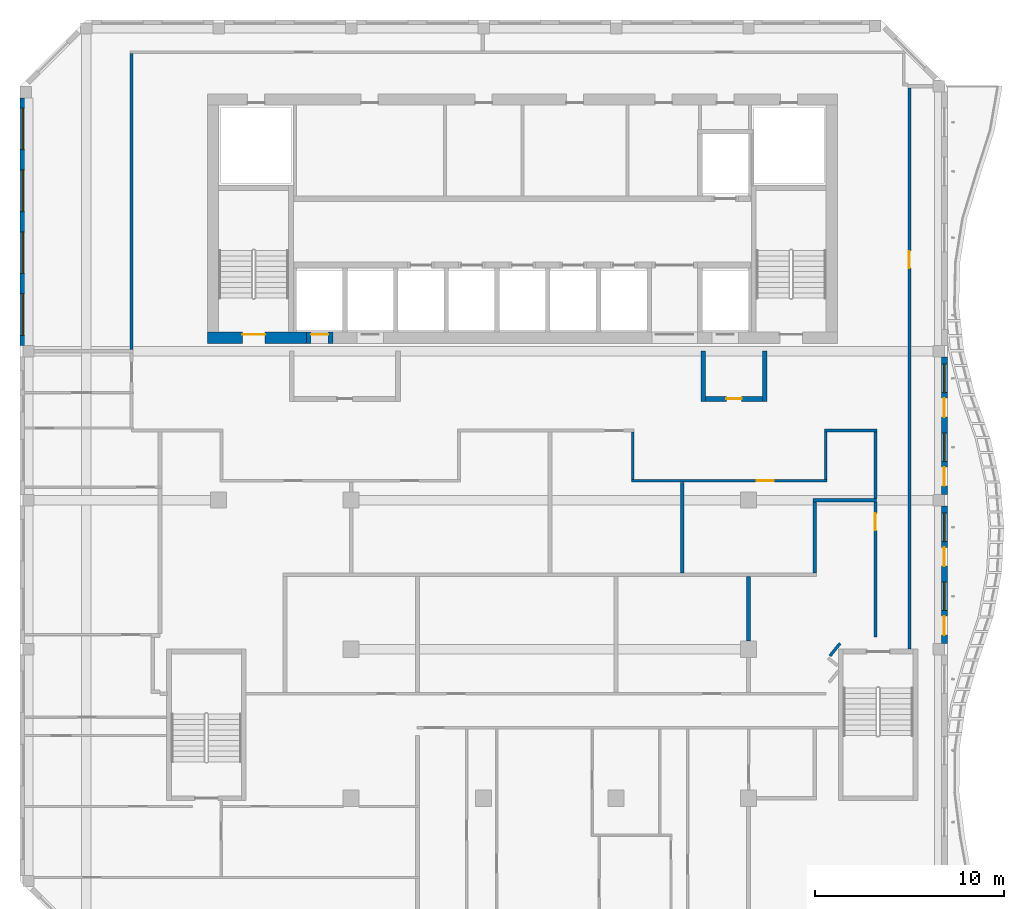
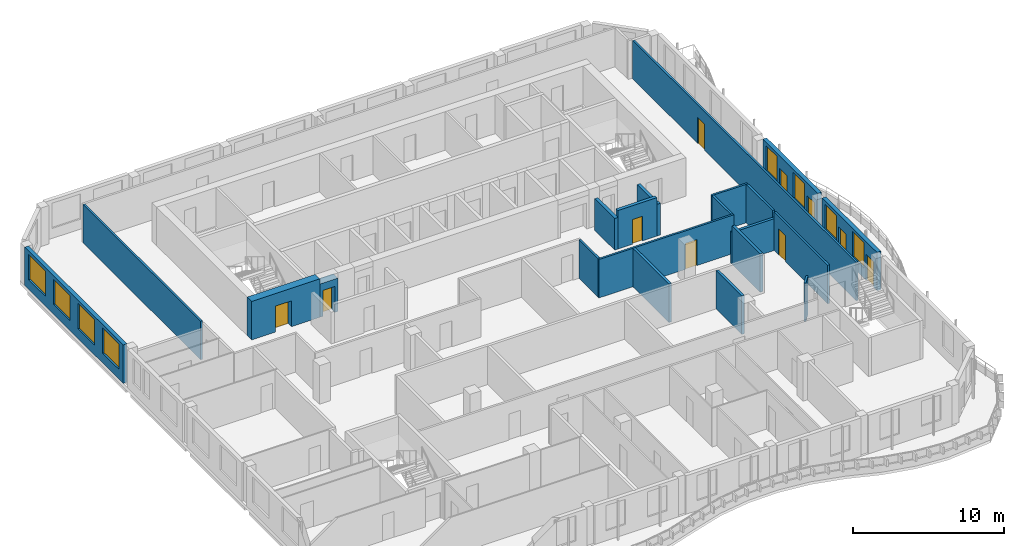
# One storey, part 5 of 18: 21 walls, 10 doors, 8 windows, 18 openings.
"""IFC4 building model written with IfcOpenShell, lengths in metres."""

import ifcopenshell
import ifcopenshell.guid

model = None  # the IFC model being written
_history = None  # IfcOwnerHistory: only IFC2X3 demands one
_inside = {}  # id of a spatial element -> (the spatial element, [elements in it])
_under = {}  # id of a project, library or spatial element -> (it, [spatial elements below it])
_declared = {}  # id of a project -> (the project, [libraries it declares])
_typed = {}  # id of a type object -> (the type object, [elements of that type])
_made_of = {}  # id of a material, layer set ... -> (it, [elements and type objects made of it])


def new_model(schema):
    """Start an empty IFC model of exactly this schema.

    Asked for "IFC4X3", IfcOpenShell would pick the latest addendum, in which some entities
    have other attributes; the version numbers below select the first issue.
    IFC2X3 requires an IfcOwnerHistory on every rooted entity: one is made here for all.
    """
    global model, _history
    if schema == "IFC4X3":
        model = ifcopenshell.file(schema_version=(4, 3, 0, 0))
    else:
        model = ifcopenshell.file(schema=schema)
    _inside.clear()
    _under.clear()
    _declared.clear()
    _typed.clear()
    _made_of.clear()
    _history = None
    if model.schema == "IFC2X3":
        org = make("IfcOrganization", Name="unknown")
        user = make(
            "IfcPersonAndOrganization",
            ThePerson=make("IfcPerson", FamilyName="unknown"),
            TheOrganization=org,
        )
        app = make(
            "IfcApplication",
            ApplicationDeveloper=org,
            Version="unknown",
            ApplicationFullName="unknown",
            ApplicationIdentifier="unknown",
        )
        _history = make(
            "IfcOwnerHistory",
            OwningUser=user,
            OwningApplication=app,
            ChangeAction="ADDED",
            CreationDate=0,
        )
    return model


def make(cls, **values):
    """One entity of the class cls with the attributes given. An attribute that is None is left unset."""
    return model.create_entity(
        cls, **{name: value for name, value in values.items() if value is not None}
    )


def rooted(cls, **values):
    """An entity with a GlobalId (a new one), such as an element, a storey or a relation."""
    return make(cls, GlobalId=ifcopenshell.guid.new(), OwnerHistory=_history, **values)


def si_unit(unit_type, name, prefix=None):
    """IfcSIUnit, for example si_unit("LENGTHUNIT", "METRE", prefix="MILLI")."""
    return make("IfcSIUnit", UnitType=unit_type, Prefix=prefix, Name=name)


def assignment(units):
    """IfcUnitAssignment: the units of a project."""
    return None if units is None else make("IfcUnitAssignment", Units=units)


def point(xyz):
    """IfcCartesianPoint."""
    return None if xyz is None else make("IfcCartesianPoint", Coordinates=xyz)


def direction(xyz):
    """IfcDirection."""
    return None if xyz is None else make("IfcDirection", DirectionRatios=xyz)


def frame(location, z_axis=None, x_axis=None):
    """IfcAxis2Placement3D, a coordinate frame: its origin and axes. An axis left out is left unset."""
    return make(
        "IfcAxis2Placement3D",
        Location=point(location),
        Axis=direction(z_axis),
        RefDirection=direction(x_axis),
    )


def frame_2d(location, x_axis=None):
    """IfcAxis2Placement2D, a coordinate frame in the plane: its origin and x axis."""
    return make(
        "IfcAxis2Placement2D", Location=point(location), RefDirection=direction(x_axis)
    )


def origin():
    """The frame at (0, 0, 0) with its axes left unset."""
    return frame((0.0, 0.0, 0.0))


def place(relative_to, where):
    """IfcLocalPlacement: puts the frame where relative to a parent placement (None: the world)."""
    return make(
        "IfcLocalPlacement", PlacementRelTo=relative_to, RelativePlacement=where
    )


def context(
    kind, dimensions, precision=None, world=None, true_north=None, identifier=None
):
    """IfcGeometricRepresentationContext, for example the 3D "Model" context."""
    return make(
        "IfcGeometricRepresentationContext",
        ContextIdentifier=identifier,
        ContextType=kind,
        CoordinateSpaceDimension=dimensions,
        Precision=precision,
        WorldCoordinateSystem=world,
        TrueNorth=true_north,
    )


def subcontext(parent, identifier, kind, view, scale=None):
    """IfcGeometricRepresentationSubContext, for example "Body" below "Model"."""
    return make(
        "IfcGeometricRepresentationSubContext",
        ContextIdentifier=identifier,
        ContextType=kind,
        ParentContext=parent,
        TargetScale=scale,
        TargetView=view,
    )


def project(units=None, contexts=None):
    """IfcProject with its units and contexts."""
    return rooted(
        "IfcProject",
        Name="project",
        RepresentationContexts=contexts,
        UnitsInContext=assignment(units),
    )


def spatial(cls, under=None, at=None, **own):
    """A site, building, storey or space (cls), placed at a placement, below another one or the project."""
    s = rooted(cls, ObjectPlacement=at, **own)
    if under is not None:
        _under.setdefault(under.id(), (under, []))[1].append(s)
    return s


def profile(cls, at=None, kind="AREA", **sizes):
    """A parametric profile (cls). Its sizes go by their IFC names, for example OverallWidth=200.0."""
    return make(cls, ProfileType=kind, Position=at, **sizes)


def rectangle(**sizes):
    """IfcRectangleProfileDef."""
    return profile("IfcRectangleProfileDef", **sizes)


def extrude(swept, where, along, depth):
    """IfcExtrudedAreaSolid: the profile swept, set in the frame where, extruded along a direction by depth."""
    return make(
        "IfcExtrudedAreaSolid",
        SweptArea=swept,
        Position=where,
        ExtrudedDirection=direction(along),
        Depth=depth,
    )


def shape(context_of_items, identifier, shape_type, items):
    """IfcShapeRepresentation: the items that make up one representation, for example the "Body"."""
    return make(
        "IfcShapeRepresentation",
        ContextOfItems=context_of_items,
        RepresentationIdentifier=identifier,
        RepresentationType=shape_type,
        Items=items,
    )


def source(mapping_origin, context_of_items, identifier, shape_type, items):
    """IfcRepresentationMap: a shape defined once, which mapped items show again and again."""
    return make(
        "IfcRepresentationMap",
        MappingOrigin=mapping_origin,
        MappedRepresentation=shape(context_of_items, identifier, shape_type, items),
    )


def transform(
    local_origin,
    x_axis=None,
    y_axis=None,
    z_axis=None,
    scale=None,
    scale2=None,
    scale3=None,
    uniform=True,
):
    """IfcCartesianTransformationOperator3D, or its non-uniform kind. x_axis, y_axis, z_axis: its Axis1, 2, 3."""
    if uniform:
        return make(
            "IfcCartesianTransformationOperator3D",
            Axis1=direction(x_axis),
            Axis2=direction(y_axis),
            LocalOrigin=point(local_origin),
            Scale=scale,
            Axis3=direction(z_axis),
        )
    return make(
        "IfcCartesianTransformationOperator3DnonUniform",
        Axis1=direction(x_axis),
        Axis2=direction(y_axis),
        LocalOrigin=point(local_origin),
        Scale=scale,
        Axis3=direction(z_axis),
        Scale2=scale2,
        Scale3=scale3,
    )


def mapped(mapping_source, mapping_target):
    """IfcMappedItem: shows the shape of a source again, moved by a transform."""
    return make(
        "IfcMappedItem", MappingSource=mapping_source, MappingTarget=mapping_target
    )


def material(Name=None, Category=None):
    """IfcMaterial."""
    return make("IfcMaterial", Name=Name, Category=Category)


def layer(
    of_material, thickness, ventilated=None, Name=None, Category=None, Priority=None
):
    """IfcMaterialLayer: one layer of a wall or slab, of a material (None: an air gap)."""
    return make(
        "IfcMaterialLayer",
        Material=of_material,
        LayerThickness=thickness,
        IsVentilated=ventilated,
        Name=Name,
        Category=Category,
        Priority=Priority,
    )


def layer_set(layers, Name=None):
    """IfcMaterialLayerSet."""
    return make("IfcMaterialLayerSet", MaterialLayers=layers, LayerSetName=Name)


def made_of(thing, what):
    """Note that an element or type object is made of a material, layer set ...; save() writes the relation."""
    if what is not None:
        _made_of.setdefault(what.id(), (what, []))[1].append(thing)
    return thing


def type_object(cls, material=None, **own):
    """A type object (cls), such as IfcWallType, which elements share."""
    return made_of(rooted(cls, **own), material)


def element(
    cls,
    number,
    at=None,
    inside=None,
    cuts=None,
    type_object=None,
    material=None,
    context=None,
    identifier="Body",
    shape_type=None,
    held_by="IfcProductDefinitionShape",
    body=None,
    shapes=None,
    **own,
):
    """One element of the class cls, such as IfcWall. Its Tag is "e" and its number.

    at: its placement. inside: the storey or other place that contains it. cuts: it is an
    opening in that element (IfcRelVoidsElement). A single representation is given by context,
    identifier, shape_type and body (its items); several are given by shapes. held_by: the class
    of the entity that holds the representations. save() writes the other relations.
    """
    e = rooted(cls, Tag="e%d" % number, ObjectPlacement=at, **own)
    if body is not None:
        shapes = [shape(context, identifier, shape_type, body)]
    if shapes is not None:
        e.Representation = make(held_by, Representations=shapes)
    if inside is not None:
        _inside.setdefault(inside.id(), (inside, []))[1].append(e)
    if cuts is not None:
        rooted(
            "IfcRelVoidsElement", RelatingBuildingElement=cuts, RelatedOpeningElement=e
        )
    if type_object is not None:
        _typed.setdefault(type_object.id(), (type_object, []))[1].append(e)
    return made_of(e, material)


def fill(opening, filler):
    """IfcRelFillsElement: the door or window that sits in an opening."""
    return rooted(
        "IfcRelFillsElement",
        RelatingOpeningElement=opening,
        RelatedBuildingElement=filler,
    )


def aggregate(whole, parts):
    """IfcRelAggregates: a whole, such as a stair, and the parts it consists of."""
    return rooted("IfcRelAggregates", RelatingObject=whole, RelatedObjects=parts)


def save(model, path):
    """Write the relations noted so far, then the file.

    IfcRelAggregates (storeys below a building ...), IfcRelContainedInSpatialStructure (elements
    in a storey), IfcRelDefinesByType, IfcRelAssociatesMaterial and IfcRelDeclares: one each for
    every whole, place, type object, material and project.
    """
    for whole, parts in _under.values():
        aggregate(whole, parts)
    for where, things in _inside.values():
        rooted(
            "IfcRelContainedInSpatialStructure",
            RelatedElements=things,
            RelatingStructure=where,
        )
    for kind, things in _typed.values():
        rooted("IfcRelDefinesByType", RelatedObjects=things, RelatingType=kind)
    for what, things in _made_of.values():
        rooted("IfcRelAssociatesMaterial", RelatedObjects=things, RelatingMaterial=what)
    for by, libraries in _declared.values():
        rooted("IfcRelDeclares", RelatingContext=by, RelatedDefinitions=libraries)
    model.write(path)


model = new_model("IFC4")

# Units and contexts
model_context = context("Model", 3, precision=1e-05, world=origin(), true_north=direction((0.0, 1.0)))
body_context = subcontext(model_context, "Body", "Model", "MODEL_VIEW")
ifc_project = project(units=[si_unit("LENGTHUNIT", "METRE"), si_unit("AREAUNIT", "SQUARE_METRE"), si_unit("VOLUMEUNIT", "CUBIC_METRE"), si_unit("PLANEANGLEUNIT", "RADIAN"), si_unit("MASSUNIT", "GRAM", prefix="KILO")], contexts=[model_context])

# Site, building, storey
site_placement = place(None, origin())
site = spatial("IfcSite", under=ifc_project, at=site_placement, CompositionType="ELEMENT")
building_placement = place(site_placement, origin())
building = spatial("IfcBuilding", under=site, at=building_placement, Name="Kilnfold Tower and Market Hall", CompositionType="ELEMENT")
storey_placement = place(building_placement, frame((0.0, 0.0, 312.0)))
storey = spatial("IfcBuildingStorey", under=building, at=storey_placement, Name="L78", CompositionType="ELEMENT", Elevation=312.0)

# Wall, opening, door
ifc_material_1 = material(Name="Gypsum board on steel studs", Category="steel")
ifc_layer_1 = layer(ifc_material_1, 0.14990234375)
ifc_layer_set_1 = layer_set([ifc_layer_1], Name="Gypsum board on steel studs")
wall_type_1 = type_object("IfcWallType", Name="WALL CORRIDOR 150", PredefinedType="PARTITIONING", material=ifc_layer_set_1)
wall_1_placement = place(storey_placement, frame((21.5, -7.75, 0.0), z_axis=(0.0, 0.0, 1.0), x_axis=(0.0, 1.0, 0.0)))
wall_1 = element("IfcWall", 1, at=wall_1_placement, inside=storey, type_object=wall_type_1, Name="Partition LY46.5", PredefinedType="PARTITIONING", context=body_context, shape_type="SweptSolid", body=[
    extrude(rectangle(XDim=29.659912109375, YDim=0.14990234375, at=frame_2d((14.830078125, 0.0))), origin(), (0.0, 0.0, 1.0), 3.1201171875),
])
opening_1_placement = place(wall_1_placement, frame((20.14208984375, 0.0, 0.0)))
opening_1 = element("IfcOpeningElement", 2, at=opening_1_placement, cuts=wall_1, Name="Opening D2", PredefinedType="OPENING", context=body_context, shape_type="SweptSolid", body=[
    extrude(rectangle(XDim=0.89990234375, YDim=2.10009765625, at=frame_2d((0.449951171875, 1.050048828125))), frame((0.0, 0.0849609375, 0.0), z_axis=(0.0, -1.0, 0.0), x_axis=(1.0, 0.0, 0.0)), (0.0, 0.0, 1.0), 0.169921875),
])
ifc_material_2 = material(Name="Timber veneer door leaf in steel frame", Category="steel")
door_type_1 = type_object("IfcDoorType", Name="DOOR ROOM 900 X2100", OperationType="NOTDEFINED", PredefinedType="DOOR", material=ifc_material_2)
door_1_placement = place(opening_1_placement, origin())
door_1 = element("IfcDoor", 3, at=door_1_placement, inside=storey, type_object=door_type_1, Name="Door D2", OperationType="SINGLE_SWING_RIGHT", OverallHeight=2.10009765625, OverallWidth=0.89990234375, PredefinedType="DOOR", context=body_context, shape_type="SweptSolid", body=[
    extrude(rectangle(XDim=0.89990234375, YDim=2.10009765625, at=frame_2d((0.449951171875, 1.050048828125))), frame((0.0, 0.02490234375, 0.0), z_axis=(0.0, -1.0, 0.0), x_axis=(1.0, 0.0, 0.0)), (0.0, 0.0, 1.0), 0.050048828125),
])
fill(opening_1, door_1)

# Wall
wall_2_placement = place(storey_placement, frame((-19.60009765625, 8.090087890625, 0.0), z_axis=(0.0, 0.0, 1.0), x_axis=(0.0, 1.0, 0.0)))
element("IfcWall", 4, at=wall_2_placement, inside=storey, type_object=wall_type_1, Name="Partition LY46.6", PredefinedType="PARTITIONING", context=body_context, shape_type="SweptSolid", body=[
    extrude(rectangle(XDim=15.635009765625, YDim=0.14990234375, at=frame_2d((7.8173828125, 0.0))), origin(), (0.0, 0.0, 1.0), 3.1201171875),
])

# Wall, opening, door
wall_3_placement = place(storey_placement, frame((6.804931640625, 1.14990234375, 0.0), z_axis=(0.0, 0.0, 1.0), x_axis=(1.0, 0.0, 0.0)))
wall_3 = element("IfcWall", 5, at=wall_3_placement, inside=storey, type_object=wall_type_1, Name="Partition LY46.15", PredefinedType="PARTITIONING", context=body_context, shape_type="SweptSolid", body=[
    extrude(rectangle(XDim=10.35009765625, YDim=0.14990234375, at=frame_2d((5.175048828125, 0.0))), origin(), (0.0, 0.0, 1.0), 3.1201171875),
])
opening_2_placement = place(wall_3_placement, frame((6.623046875, 0.0, 0.0)))
opening_2 = element("IfcOpeningElement", 6, at=opening_2_placement, cuts=wall_3, Name="Opening D2", PredefinedType="OPENING", context=body_context, shape_type="SweptSolid", body=[
    extrude(rectangle(XDim=0.89990234375, YDim=2.10009765625, at=frame_2d((0.449951171875, 1.050048828125))), frame((0.0, 0.0849609375, 0.0), z_axis=(0.0, -1.0, 0.0), x_axis=(1.0, 0.0, 0.0)), (0.0, 0.0, 1.0), 0.169921875),
])
door_2_placement = place(opening_2_placement, origin())
door_2 = element("IfcDoor", 7, at=door_2_placement, inside=storey, type_object=door_type_1, Name="Door D2", OperationType="SINGLE_SWING_RIGHT", OverallHeight=2.10009765625, OverallWidth=0.89990234375, PredefinedType="DOOR", context=body_context, shape_type="SweptSolid", body=[
    extrude(rectangle(XDim=0.89990234375, YDim=2.10009765625, at=frame_2d((0.449951171875, 1.050048828125))), frame((0.0, 0.02490234375, 0.0), z_axis=(0.0, -1.0, 0.0), x_axis=(1.0, 0.0, 0.0)), (0.0, 0.0, 1.0), 0.050048828125),
])
fill(opening_2, door_2)

# Walls
wall_4_placement = place(storey_placement, frame((6.8798828125, 3.72509765625, 0.0), z_axis=(0.0, 0.0, 1.0), x_axis=(0.0, -1.0, 0.0)))
element("IfcWall", 8, at=wall_4_placement, inside=storey, type_object=wall_type_1, Name="Partition LY46.16", PredefinedType="PARTITIONING", context=body_context, shape_type="SweptSolid", body=[
    extrude(rectangle(XDim=2.5, YDim=0.14990234375, at=frame_2d((1.25, 0.0))), origin(), (0.0, 0.0, 1.0), 3.1201171875),
])
wall_5_placement = place(storey_placement, frame((17.8349609375, -7.44189453125, 0.0), z_axis=(0.0, 0.0, 1.0), x_axis=(-0.628859024249, -0.777519342281, 0.0)))
element("IfcWall", 9, at=wall_5_placement, inside=storey, type_object=wall_type_1, Name="Partition LY46.19", PredefinedType="PARTITIONING", context=body_context, shape_type="SweptSolid", body=[
    extrude(rectangle(XDim=0.84912109375, YDim=0.14990234375, at=frame_2d((0.424560546875, 0.0))), origin(), (0.0, 0.0, 1.0), 3.1201171875),
])

# Wall, opening, door
wall_6_placement = place(storey_placement, frame((19.699951171875, -7.10009765625, 0.0), z_axis=(0.0, 0.0, 1.0), x_axis=(0.0, 1.0, 0.0)))
wall_6 = element("IfcWall", 10, at=wall_6_placement, inside=storey, type_object=wall_type_1, Name="Partition LY46.20", PredefinedType="PARTITIONING", context=body_context, shape_type="SweptSolid", body=[
    extrude(rectangle(XDim=7.135009765625, YDim=0.14990234375, at=frame_2d((3.5673828125, 0.0))), origin(), (0.0, 0.0, 1.0), 3.1201171875),
])
opening_3_placement = place(wall_6_placement, frame((5.633056640625, 0.0, 0.0)))
opening_3 = element("IfcOpeningElement", 11, at=opening_3_placement, cuts=wall_6, Name="Opening D2", PredefinedType="OPENING", context=body_context, shape_type="SweptSolid", body=[
    extrude(rectangle(XDim=0.89990234375, YDim=2.10009765625, at=frame_2d((0.449951171875, 1.050048828125))), frame((0.0, 0.0849609375, 0.0), z_axis=(0.0, -1.0, 0.0), x_axis=(1.0, 0.0, 0.0)), (0.0, 0.0, 1.0), 0.169921875),
])
door_3_placement = place(opening_3_placement, origin())
door_3 = element("IfcDoor", 12, at=door_3_placement, inside=storey, type_object=door_type_1, Name="Door D2", OperationType="SINGLE_SWING_LEFT", OverallHeight=2.10009765625, OverallWidth=0.89990234375, PredefinedType="DOOR", context=body_context, shape_type="SweptSolid", body=[
    extrude(rectangle(XDim=0.89990234375, YDim=2.10009765625, at=frame_2d((0.449951171875, 1.050048828125))), frame((0.0, 0.02490234375, 0.0), z_axis=(0.0, -1.0, 0.0), x_axis=(1.0, 0.0, 0.0)), (0.0, 0.0, 1.0), 0.050048828125),
])
fill(opening_3, door_3)

# Walls
wall_7_placement = place(storey_placement, frame((19.699951171875, 0.215087890625, 0.0), z_axis=(0.0, 0.0, 1.0), x_axis=(0.0, 1.0, 0.0)))
element("IfcWall", 13, at=wall_7_placement, inside=storey, type_object=wall_type_1, Name="Partition LY46.21", PredefinedType="PARTITIONING", context=body_context, shape_type="SweptSolid", body=[
    extrude(rectangle(XDim=3.510009765625, YDim=0.14990234375, at=frame_2d((1.7548828125, 0.0))), origin(), (0.0, 0.0, 1.0), 3.1201171875),
])
wall_8_placement = place(storey_placement, frame((17.0048828125, 3.800048828125, 0.0), z_axis=(0.0, 0.0, 1.0), x_axis=(1.0, 0.0, 0.0)))
element("IfcWall", 14, at=wall_8_placement, inside=storey, type_object=wall_type_1, Name="Partition LY46.22", PredefinedType="PARTITIONING", context=body_context, shape_type="SweptSolid", body=[
    extrude(rectangle(XDim=2.77001953125, YDim=0.14990234375, at=frame_2d((1.385009765625, 0.0))), origin(), (0.0, 0.0, 1.0), 3.1201171875),
])
wall_9_placement = place(storey_placement, frame((17.080078125, 1.22509765625, 0.0), z_axis=(0.0, 0.0, 1.0), x_axis=(0.0, 1.0, 0.0)))
element("IfcWall", 15, at=wall_9_placement, inside=storey, type_object=wall_type_1, Name="Partition LY46.23", PredefinedType="PARTITIONING", context=body_context, shape_type="SweptSolid", body=[
    extrude(rectangle(XDim=2.5, YDim=0.14990234375, at=frame_2d((1.25, 0.0))), origin(), (0.0, 0.0, 1.0), 3.1201171875),
])
ifc_material_3 = material(Name="Gypsum board on steel studs", Category="steel")
ifc_layer_2 = layer(ifc_material_3, 0.199951171875)
ifc_layer_set_2 = layer_set([ifc_layer_2], Name="Gypsum board on steel studs")
wall_type_2 = type_object("IfcWallType", Name="WALL PARTY 200", PredefinedType="PARTITIONING", material=ifc_layer_set_2)
wall_10_placement = place(storey_placement, frame((9.5, -3.7119140625, 0.0), z_axis=(0.0, 0.0, 1.0), x_axis=(0.0, 1.0, 0.0)))
element("IfcWall", 16, at=wall_10_placement, inside=storey, type_object=wall_type_2, Name="Partition LY46.67", PredefinedType="PARTITIONING", context=body_context, shape_type="SweptSolid", body=[
    extrude(rectangle(XDim=4.784912109375, YDim=0.199951171875, at=frame_2d((2.392578125, 0.0))), origin(), (0.0, 0.0, 1.0), 3.1201171875),
])
wall_11_placement = place(storey_placement, frame((13.0, -7.324951171875, 0.0), z_axis=(0.0, 0.0, 1.0), x_axis=(0.0, 1.0, 0.0)))
element("IfcWall", 17, at=wall_11_placement, inside=storey, type_object=wall_type_2, Name="Partition LY46.68", PredefinedType="PARTITIONING", context=body_context, shape_type="SweptSolid", body=[
    extrude(rectangle(XDim=3.412841796875, YDim=0.199951171875, at=frame_2d((1.70654296875, 0.0))), origin(), (0.0, 0.0, 1.0), 3.1201171875),
])
wall_12_placement = place(storey_placement, frame((16.5, -3.7119140625, 0.0), z_axis=(0.0, 0.0, 1.0), x_axis=(0.0, 1.0, 0.0)))
element("IfcWall", 18, at=wall_12_placement, inside=storey, type_object=wall_type_2, Name="Partition LY46.70", PredefinedType="PARTITIONING", context=body_context, shape_type="SweptSolid", body=[
    extrude(rectangle(XDim=3.73681640625, YDim=0.199951171875, at=frame_2d((1.868408203125, 0.0))), origin(), (0.0, 0.0, 1.0), 3.1201171875),
])
wall_13_placement = place(storey_placement, frame((19.77294921875, 0.125, 0.0), z_axis=(0.0, 0.0, 1.0), x_axis=(-1.0, 0.0, 0.0)))
element("IfcWall", 19, at=wall_13_placement, inside=storey, type_object=wall_type_2, Name="Partition LY46.71", PredefinedType="PARTITIONING", context=body_context, shape_type="SweptSolid", body=[
    extrude(rectangle(XDim=3.373046875, YDim=0.199951171875, at=frame_2d((1.6865234375, 0.0))), origin(), (0.0, 0.0, 1.0), 2.570068359375),
])

# Wall, opening, door
ifc_material_4 = material(Name="Concrete C50", Category="concrete")
ifc_layer_3 = layer(ifc_material_4, 0.60009765625)
ifc_layer_set_3 = layer_set([ifc_layer_3], Name="Concrete C50")
wall_type_3 = type_object("IfcWallType", Name="CORE WALL 600 C50", PredefinedType="SHEAR", material=ifc_layer_set_3)
shared_shape_1 = source(origin(), body_context, "Body", "SweptSolid", [
    extrude(rectangle(XDim=5.22998046875, YDim=0.60009765625, at=frame_2d((2.614990234375, 0.0))), origin(), (0.0, 0.0, 1.0), 3.1201171875),
])
wall_14_placement = place(storey_placement, frame((-15.60009765625, 8.699951171875, 0.0), z_axis=(0.0, 0.0, 1.0), x_axis=(1.0, 0.0, 0.0)))
wall_14 = element("IfcWall", 20, at=wall_14_placement, inside=storey, type_object=wall_type_3, Name="Core outer wall south", PredefinedType="SHEAR", context=body_context, shape_type="MappedRepresentation", body=[
    mapped(shared_shape_1, transform((0.0, 0.0, 0.0))),
])
opening_4_placement = place(wall_14_placement, frame((1.85009765625, 0.0, 0.0)))
opening_4 = element("IfcOpeningElement", 21, at=opening_4_placement, cuts=wall_14, Name="Opening SD1", PredefinedType="OPENING", context=body_context, shape_type="SweptSolid", body=[
    extrude(rectangle(XDim=1.199951171875, YDim=2.10009765625, at=frame_2d((0.60009765625, 1.050048828125))), frame((0.0, 0.31005859375, 0.0), z_axis=(0.0, -1.0, 0.0), x_axis=(1.0, 0.0, 0.0)), (0.0, 0.0, 1.0), 0.6201171875),
])
ifc_material_5 = material(Name="Steel door set with fire-resisting leaf", Category="steel")
door_type_2 = type_object("IfcDoorType", Name="STAIR FLOOR DOOR 1200X2100", OperationType="NOTDEFINED", PredefinedType="DOOR", material=ifc_material_5)
door_4_placement = place(opening_4_placement, origin())
door_4 = element("IfcDoor", 22, at=door_4_placement, inside=storey, type_object=door_type_2, Name="Exit stair ST1 door", OperationType="DOUBLE_DOOR_SINGLE_SWING", OverallHeight=2.10009765625, OverallWidth=1.199951171875, PredefinedType="DOOR", context=body_context, shape_type="SweptSolid", body=[
    extrude(rectangle(XDim=1.199951171875, YDim=2.10009765625, at=frame_2d((0.60009765625, 1.050048828125))), frame((0.0, 0.205078125, 0.0), z_axis=(0.0, -1.0, 0.0), x_axis=(1.0, 0.0, 0.0)), (0.0, 0.0, 1.0), 0.050048828125),
])
fill(opening_4, door_4)

# Wall, openings, doors, windows
ifc_material_6 = material(Name="Precast concrete C50/60", Category="concrete")
ifc_layer_4 = layer(ifc_material_6, 0.300048828125)
ifc_layer_set_4 = layer_set([ifc_layer_4], Name="Precast concrete C50/60")
wall_type_4 = type_object("IfcWallType", Name="PRECAST WALL 300", PredefinedType="SOLIDWALL", material=ifc_layer_set_4)
shared_shape_2 = source(origin(), body_context, "Body", "SweptSolid", [
    extrude(rectangle(XDim=7.27490234375, YDim=0.300048828125, at=frame_2d((3.637451171875, 0.0))), origin(), (0.0, 0.0, 1.0), 3.1201171875),
])
wall_15_placement = place(storey_placement, frame((23.35009765625, -7.449951171875, 0.0), z_axis=(0.0, 0.0, 1.0), x_axis=(0.0, 1.0, 0.0)))
wall_15 = element("IfcWall", 23, at=wall_15_placement, inside=storey, type_object=wall_type_4, Name="External wall L78 E", PredefinedType="SOLIDWALL", context=body_context, shape_type="MappedRepresentation", body=[
    mapped(shared_shape_2, transform((0.0, 0.0, 0.0))),
])
opening_5_placement = place(wall_15_placement, frame((1.75, 0.0, 0.800048828125)))
opening_5 = element("IfcOpeningElement", 24, at=opening_5_placement, cuts=wall_15, Name="Opening W5", PredefinedType="OPENING", context=body_context, shape_type="SweptSolid", body=[
    extrude(rectangle(XDim=1.5, YDim=2.050048828125, at=frame_2d((0.75, 1.02490234375))), frame((0.0, 0.16015625, 0.0), z_axis=(0.0, -1.0, 0.0), x_axis=(1.0, 0.0, 0.0)), (0.0, 0.0, 1.0), 0.320068359375),
])
opening_6_placement = place(wall_15_placement, frame((0.449951171875, 0.0, 0.0)))
opening_6 = element("IfcOpeningElement", 25, at=opening_6_placement, cuts=wall_15, Name="Opening BD1", PredefinedType="OPENING", context=body_context, shape_type="SweptSolid", body=[
    extrude(rectangle(XDim=1.0, YDim=2.10009765625, at=frame_2d((0.5, 1.050048828125))), frame((0.0, 0.16015625, 0.0), z_axis=(0.0, -1.0, 0.0), x_axis=(1.0, 0.0, 0.0)), (0.0, 0.0, 1.0), 0.320068359375),
])
opening_7_placement = place(wall_15_placement, frame((5.387451171875, 0.0, 0.800048828125)))
opening_7 = element("IfcOpeningElement", 26, at=opening_7_placement, cuts=wall_15, Name="Opening W5", PredefinedType="OPENING", context=body_context, shape_type="SweptSolid", body=[
    extrude(rectangle(XDim=1.5, YDim=2.050048828125, at=frame_2d((0.75, 1.02490234375))), frame((0.0, 0.16015625, 0.0), z_axis=(0.0, -1.0, 0.0), x_axis=(1.0, 0.0, 0.0)), (0.0, 0.0, 1.0), 0.320068359375),
])
opening_8_placement = place(wall_15_placement, frame((4.08740234375, 0.0, 0.0)))
opening_8 = element("IfcOpeningElement", 27, at=opening_8_placement, cuts=wall_15, Name="Opening BD1", PredefinedType="OPENING", context=body_context, shape_type="SweptSolid", body=[
    extrude(rectangle(XDim=1.0, YDim=2.10009765625, at=frame_2d((0.5, 1.050048828125))), frame((0.0, 0.16015625, 0.0), z_axis=(0.0, -1.0, 0.0), x_axis=(1.0, 0.0, 0.0)), (0.0, 0.0, 1.0), 0.320068359375),
])
ifc_material_7 = material(Name="Aluminium frame and double glazing", Category="aluminium")
door_type_3 = type_object("IfcDoorType", Name="BALCONY DOOR 1000X2100", OperationType="NOTDEFINED", PredefinedType="DOOR", material=ifc_material_7)
door_5_placement = place(opening_6_placement, origin())
door_5 = element("IfcDoor", 28, at=door_5_placement, inside=storey, type_object=door_type_3, Name="Balcony door BD1 L78 E-1", OperationType="SINGLE_SWING_LEFT", OverallHeight=2.10009765625, OverallWidth=1.0, PredefinedType="DOOR", context=body_context, shape_type="SweptSolid", body=[
    extrude(rectangle(XDim=1.0, YDim=2.10009765625, at=frame_2d((0.5, 1.050048828125))), frame((0.0, 0.02490234375, 0.0), z_axis=(0.0, -1.0, 0.0), x_axis=(1.0, 0.0, 0.0)), (0.0, 0.0, 1.0), 0.050048828125),
])
fill(opening_6, door_5)
door_6_placement = place(opening_8_placement, origin())
door_6 = element("IfcDoor", 29, at=door_6_placement, inside=storey, type_object=door_type_3, Name="Balcony door BD1 L78 E-2", OperationType="SINGLE_SWING_RIGHT", OverallHeight=2.10009765625, OverallWidth=1.0, PredefinedType="DOOR", context=body_context, shape_type="SweptSolid", body=[
    extrude(rectangle(XDim=1.0, YDim=2.10009765625, at=frame_2d((0.5, 1.050048828125))), frame((0.0, 0.02490234375, 0.0), z_axis=(0.0, -1.0, 0.0), x_axis=(1.0, 0.0, 0.0)), (0.0, 0.0, 1.0), 0.050048828125),
])
fill(opening_8, door_6)
ifc_material_8 = material(Name="Aluminium frame and double glazing", Category="aluminium")
window_type_1 = type_object("IfcWindowType", Name="WINDOW W5 1500X2050", PartitioningType="SINGLE_PANEL", PredefinedType="WINDOW", material=ifc_material_8)
window_1_placement = place(opening_5_placement, origin())
window_1 = element("IfcWindow", 30, at=window_1_placement, inside=storey, type_object=window_type_1, Name="Window W5 L78 E-1", OverallHeight=2.050048828125, OverallWidth=1.5, PartitioningType="SINGLE_PANEL", PredefinedType="WINDOW", context=body_context, shape_type="SweptSolid", body=[
    extrude(rectangle(XDim=1.5, YDim=2.050048828125, at=frame_2d((0.75, 1.02490234375))), frame((0.0, 0.030029296875, 0.0), z_axis=(0.0, -1.0, 0.0), x_axis=(1.0, 0.0, 0.0)), (0.0, 0.0, 1.0), 0.06005859375),
])
fill(opening_5, window_1)
window_2_placement = place(opening_7_placement, origin())
window_2 = element("IfcWindow", 31, at=window_2_placement, inside=storey, type_object=window_type_1, Name="Window W5 L78 E-2", OverallHeight=2.050048828125, OverallWidth=1.5, PartitioningType="SINGLE_PANEL", PredefinedType="WINDOW", context=body_context, shape_type="SweptSolid", body=[
    extrude(rectangle(XDim=1.5, YDim=2.050048828125, at=frame_2d((0.75, 1.02490234375))), frame((0.0, 0.030029296875, 0.0), z_axis=(0.0, -1.0, 0.0), x_axis=(1.0, 0.0, 0.0)), (0.0, 0.0, 1.0), 0.06005859375),
])
fill(opening_7, window_2)

wall_16_placement = place(storey_placement, frame((23.35009765625, 0.425048828125, 0.0), z_axis=(0.0, 0.0, 1.0), x_axis=(0.0, 1.0, 0.0)))
wall_16 = element("IfcWall", 32, at=wall_16_placement, inside=storey, type_object=wall_type_4, Name="External wall L78 E", PredefinedType="SOLIDWALL", context=body_context, shape_type="MappedRepresentation", body=[
    mapped(shared_shape_2, transform((0.0, 0.0, 0.0))),
])
opening_9_placement = place(wall_16_placement, frame((1.75, 0.0, 0.800048828125)))
opening_9 = element("IfcOpeningElement", 33, at=opening_9_placement, cuts=wall_16, Name="Opening W5", PredefinedType="OPENING", context=body_context, shape_type="SweptSolid", body=[
    extrude(rectangle(XDim=1.5, YDim=2.050048828125, at=frame_2d((0.75, 1.02490234375))), frame((0.0, 0.16015625, 0.0), z_axis=(0.0, -1.0, 0.0), x_axis=(1.0, 0.0, 0.0)), (0.0, 0.0, 1.0), 0.320068359375),
])
opening_10_placement = place(wall_16_placement, frame((0.449951171875, 0.0, 0.0)))
opening_10 = element("IfcOpeningElement", 34, at=opening_10_placement, cuts=wall_16, Name="Opening BD1", PredefinedType="OPENING", context=body_context, shape_type="SweptSolid", body=[
    extrude(rectangle(XDim=1.0, YDim=2.10009765625, at=frame_2d((0.5, 1.050048828125))), frame((0.0, 0.16015625, 0.0), z_axis=(0.0, -1.0, 0.0), x_axis=(1.0, 0.0, 0.0)), (0.0, 0.0, 1.0), 0.320068359375),
])
opening_11_placement = place(wall_16_placement, frame((5.387451171875, 0.0, 0.800048828125)))
opening_11 = element("IfcOpeningElement", 35, at=opening_11_placement, cuts=wall_16, Name="Opening W5", PredefinedType="OPENING", context=body_context, shape_type="SweptSolid", body=[
    extrude(rectangle(XDim=1.5, YDim=2.050048828125, at=frame_2d((0.75, 1.02490234375))), frame((0.0, 0.16015625, 0.0), z_axis=(0.0, -1.0, 0.0), x_axis=(1.0, 0.0, 0.0)), (0.0, 0.0, 1.0), 0.320068359375),
])
opening_12_placement = place(wall_16_placement, frame((4.08740234375, 0.0, 0.0)))
opening_12 = element("IfcOpeningElement", 36, at=opening_12_placement, cuts=wall_16, Name="Opening BD1", PredefinedType="OPENING", context=body_context, shape_type="SweptSolid", body=[
    extrude(rectangle(XDim=1.0, YDim=2.10009765625, at=frame_2d((0.5, 1.050048828125))), frame((0.0, 0.16015625, 0.0), z_axis=(0.0, -1.0, 0.0), x_axis=(1.0, 0.0, 0.0)), (0.0, 0.0, 1.0), 0.320068359375),
])
door_7_placement = place(opening_10_placement, origin())
door_7 = element("IfcDoor", 37, at=door_7_placement, inside=storey, type_object=door_type_3, Name="Balcony door BD1 L78 E-1", OperationType="SINGLE_SWING_LEFT", OverallHeight=2.10009765625, OverallWidth=1.0, PredefinedType="DOOR", context=body_context, shape_type="SweptSolid", body=[
    extrude(rectangle(XDim=1.0, YDim=2.10009765625, at=frame_2d((0.5, 1.050048828125))), frame((0.0, 0.02490234375, 0.0), z_axis=(0.0, -1.0, 0.0), x_axis=(1.0, 0.0, 0.0)), (0.0, 0.0, 1.0), 0.050048828125),
])
fill(opening_10, door_7)
door_8_placement = place(opening_12_placement, origin())
door_8 = element("IfcDoor", 38, at=door_8_placement, inside=storey, type_object=door_type_3, Name="Balcony door BD1 L78 E-2", OperationType="SINGLE_SWING_RIGHT", OverallHeight=2.10009765625, OverallWidth=1.0, PredefinedType="DOOR", context=body_context, shape_type="SweptSolid", body=[
    extrude(rectangle(XDim=1.0, YDim=2.10009765625, at=frame_2d((0.5, 1.050048828125))), frame((0.0, 0.02490234375, 0.0), z_axis=(0.0, -1.0, 0.0), x_axis=(1.0, 0.0, 0.0)), (0.0, 0.0, 1.0), 0.050048828125),
])
fill(opening_12, door_8)
window_3_placement = place(opening_9_placement, origin())
window_3 = element("IfcWindow", 39, at=window_3_placement, inside=storey, type_object=window_type_1, Name="Window W5 L78 E-1", OverallHeight=2.050048828125, OverallWidth=1.5, PartitioningType="SINGLE_PANEL", PredefinedType="WINDOW", context=body_context, shape_type="SweptSolid", body=[
    extrude(rectangle(XDim=1.5, YDim=2.050048828125, at=frame_2d((0.75, 1.02490234375))), frame((0.0, 0.030029296875, 0.0), z_axis=(0.0, -1.0, 0.0), x_axis=(1.0, 0.0, 0.0)), (0.0, 0.0, 1.0), 0.06005859375),
])
fill(opening_9, window_3)
window_4_placement = place(opening_11_placement, origin())
window_4 = element("IfcWindow", 40, at=window_4_placement, inside=storey, type_object=window_type_1, Name="Window W5 L78 E-2", OverallHeight=2.050048828125, OverallWidth=1.5, PartitioningType="SINGLE_PANEL", PredefinedType="WINDOW", context=body_context, shape_type="SweptSolid", body=[
    extrude(rectangle(XDim=1.5, YDim=2.050048828125, at=frame_2d((0.75, 1.02490234375))), frame((0.0, 0.030029296875, 0.0), z_axis=(0.0, -1.0, 0.0), x_axis=(1.0, 0.0, 0.0)), (0.0, 0.0, 1.0), 0.06005859375),
])
fill(opening_11, window_4)

# Wall, openings, windows
shared_shape_3 = source(origin(), body_context, "Body", "SweptSolid", [
    extrude(rectangle(XDim=13.081787109375, YDim=0.300048828125, at=frame_2d((6.541015625, 0.0))), origin(), (0.0, 0.0, 1.0), 3.1201171875),
])
wall_17_placement = place(storey_placement, frame((-25.35009765625, 21.3818359375, 0.0), z_axis=(0.0, 0.0, 1.0), x_axis=(0.0, -1.0, 0.0)))
wall_17 = element("IfcWall", 41, at=wall_17_placement, inside=storey, type_object=wall_type_4, Name="External wall L78 W", PredefinedType="SOLIDWALL", context=body_context, shape_type="MappedRepresentation", body=[
    mapped(shared_shape_3, transform((0.0, 0.0, 0.0))),
])
opening_13_placement = place(wall_17_placement, frame((0.53515625, 0.0, 0.800048828125)))
opening_13 = element("IfcOpeningElement", 42, at=opening_13_placement, cuts=wall_17, Name="Opening W3", PredefinedType="OPENING", context=body_context, shape_type="SweptSolid", body=[
    extrude(rectangle(XDim=2.199951171875, YDim=2.050048828125, at=frame_2d((1.10009765625, 1.02490234375))), frame((0.0, 0.16015625, 0.0), z_axis=(0.0, -1.0, 0.0), x_axis=(1.0, 0.0, 0.0)), (0.0, 0.0, 1.0), 0.320068359375),
])
opening_14_placement = place(wall_17_placement, frame((3.8056640625, 0.0, 0.800048828125)))
opening_14 = element("IfcOpeningElement", 43, at=opening_14_placement, cuts=wall_17, Name="Opening W3", PredefinedType="OPENING", context=body_context, shape_type="SweptSolid", body=[
    extrude(rectangle(XDim=2.199951171875, YDim=2.050048828125, at=frame_2d((1.10009765625, 1.02490234375))), frame((0.0, 0.16015625, 0.0), z_axis=(0.0, -1.0, 0.0), x_axis=(1.0, 0.0, 0.0)), (0.0, 0.0, 1.0), 0.320068359375),
])
opening_15_placement = place(wall_17_placement, frame((7.076171875, 0.0, 0.800048828125)))
opening_15 = element("IfcOpeningElement", 44, at=opening_15_placement, cuts=wall_17, Name="Opening W3", PredefinedType="OPENING", context=body_context, shape_type="SweptSolid", body=[
    extrude(rectangle(XDim=2.199951171875, YDim=2.050048828125, at=frame_2d((1.10009765625, 1.02490234375))), frame((0.0, 0.16015625, 0.0), z_axis=(0.0, -1.0, 0.0), x_axis=(1.0, 0.0, 0.0)), (0.0, 0.0, 1.0), 0.320068359375),
])
opening_16_placement = place(wall_17_placement, frame((10.3466796875, 0.0, 0.800048828125)))
opening_16 = element("IfcOpeningElement", 45, at=opening_16_placement, cuts=wall_17, Name="Opening W3", PredefinedType="OPENING", context=body_context, shape_type="SweptSolid", body=[
    extrude(rectangle(XDim=2.199951171875, YDim=2.050048828125, at=frame_2d((1.10009765625, 1.02490234375))), frame((0.0, 0.16015625, 0.0), z_axis=(0.0, -1.0, 0.0), x_axis=(1.0, 0.0, 0.0)), (0.0, 0.0, 1.0), 0.320068359375),
])
ifc_material_9 = material(Name="Aluminium frame and double glazing", Category="aluminium")
window_type_2 = type_object("IfcWindowType", Name="WINDOW W3 2200X2050", PartitioningType="SINGLE_PANEL", PredefinedType="WINDOW", material=ifc_material_9)
window_5_placement = place(opening_13_placement, origin())
window_5 = element("IfcWindow", 46, at=window_5_placement, inside=storey, type_object=window_type_2, Name="Window W3 L78 W-1", OverallHeight=2.050048828125, OverallWidth=2.199951171875, PartitioningType="SINGLE_PANEL", PredefinedType="WINDOW", context=body_context, shape_type="SweptSolid", body=[
    extrude(rectangle(XDim=2.199951171875, YDim=2.050048828125, at=frame_2d((1.10009765625, 1.02490234375))), frame((0.0, 0.030029296875, 0.0), z_axis=(0.0, -1.0, 0.0), x_axis=(1.0, 0.0, 0.0)), (0.0, 0.0, 1.0), 0.06005859375),
])
fill(opening_13, window_5)
window_6_placement = place(opening_14_placement, origin())
window_6 = element("IfcWindow", 47, at=window_6_placement, inside=storey, type_object=window_type_2, Name="Window W3 L78 W-2", OverallHeight=2.050048828125, OverallWidth=2.199951171875, PartitioningType="SINGLE_PANEL", PredefinedType="WINDOW", context=body_context, shape_type="SweptSolid", body=[
    extrude(rectangle(XDim=2.199951171875, YDim=2.050048828125, at=frame_2d((1.10009765625, 1.02490234375))), frame((0.0, 0.030029296875, 0.0), z_axis=(0.0, -1.0, 0.0), x_axis=(1.0, 0.0, 0.0)), (0.0, 0.0, 1.0), 0.06005859375),
])
fill(opening_14, window_6)
window_7_placement = place(opening_15_placement, origin())
window_7 = element("IfcWindow", 48, at=window_7_placement, inside=storey, type_object=window_type_2, Name="Window W3 L78 W-3", OverallHeight=2.050048828125, OverallWidth=2.199951171875, PartitioningType="SINGLE_PANEL", PredefinedType="WINDOW", context=body_context, shape_type="SweptSolid", body=[
    extrude(rectangle(XDim=2.199951171875, YDim=2.050048828125, at=frame_2d((1.10009765625, 1.02490234375))), frame((0.0, 0.030029296875, 0.0), z_axis=(0.0, -1.0, 0.0), x_axis=(1.0, 0.0, 0.0)), (0.0, 0.0, 1.0), 0.06005859375),
])
fill(opening_15, window_7)
window_8_placement = place(opening_16_placement, origin())
window_8 = element("IfcWindow", 49, at=window_8_placement, inside=storey, type_object=window_type_2, Name="Window W3 L78 W-4", OverallHeight=2.050048828125, OverallWidth=2.199951171875, PartitioningType="SINGLE_PANEL", PredefinedType="WINDOW", context=body_context, shape_type="SweptSolid", body=[
    extrude(rectangle(XDim=2.199951171875, YDim=2.050048828125, at=frame_2d((1.10009765625, 1.02490234375))), frame((0.0, 0.030029296875, 0.0), z_axis=(0.0, -1.0, 0.0), x_axis=(1.0, 0.0, 0.0)), (0.0, 0.0, 1.0), 0.06005859375),
])
fill(opening_16, window_8)

# Wall, opening, door
ifc_material_10 = material(Name="Gypsum shaft wall system")
ifc_layer_5 = layer(ifc_material_10, 0.25)
ifc_layer_set_5 = layer_set([ifc_layer_5], Name="Gypsum shaft wall system")
wall_type_5 = type_object("IfcWallType", Name="LOBBY WALL 250", PredefinedType="PARTITIONING", material=ifc_layer_set_5)
shared_shape_4 = source(origin(), body_context, "Body", "SweptSolid", [
    extrude(rectangle(XDim=3.0, YDim=0.25, at=frame_2d((1.5, 0.0))), origin(), (0.0, 0.0, 1.0), 3.1201171875),
])
wall_18_placement = place(storey_placement, frame((10.72998046875, 5.47509765625, 0.0), z_axis=(0.0, 0.0, 1.0), x_axis=(1.0, 0.0, 0.0)))
wall_18 = element("IfcWall", 50, at=wall_18_placement, inside=storey, type_object=wall_type_5, Name="Firefighting lobby wall", PredefinedType="PARTITIONING", context=body_context, shape_type="MappedRepresentation", body=[
    mapped(shared_shape_4, transform((0.0, 0.0, 0.0))),
])
opening_17_placement = place(wall_18_placement, frame((1.10009765625, 0.0, 0.0)))
opening_17 = element("IfcOpeningElement", 51, at=opening_17_placement, cuts=wall_18, Name="Opening VD1", PredefinedType="OPENING", context=body_context, shape_type="SweptSolid", body=[
    extrude(rectangle(XDim=0.800048828125, YDim=2.0, at=frame_2d((0.39990234375, 1.0))), frame((0.0, 0.135009765625, 0.0), z_axis=(0.0, -1.0, 0.0), x_axis=(1.0, 0.0, 0.0)), (0.0, 0.0, 1.0), 0.27001953125),
])
ifc_material_11 = material(Name="Steel door set with fire-resisting leaf", Category="steel")
door_type_4 = type_object("IfcDoorType", Name="FIREFIGHTING LOBBY DOOR 800X2000", OperationType="NOTDEFINED", PredefinedType="DOOR", material=ifc_material_11)
door_9_placement = place(opening_17_placement, origin())
door_9 = element("IfcDoor", 52, at=door_9_placement, inside=storey, type_object=door_type_4, Name="Firefighting lobby door", OperationType="SINGLE_SWING_RIGHT", OverallHeight=2.0, OverallWidth=0.800048828125, PredefinedType="DOOR", context=body_context, shape_type="SweptSolid", body=[
    extrude(rectangle(XDim=0.800048828125, YDim=2.0, at=frame_2d((0.39990234375, 1.0))), frame((0.0, 0.02490234375, 0.0), z_axis=(0.0, -1.0, 0.0), x_axis=(1.0, 0.0, 0.0)), (0.0, 0.0, 1.0), 0.050048828125),
])
fill(opening_17, door_9)

# Walls
shared_shape_5 = source(origin(), body_context, "Body", "SweptSolid", [
    extrude(rectangle(XDim=2.64990234375, YDim=0.25, at=frame_2d((1.324951171875, 0.0))), origin(), (0.0, 0.0, 1.0), 2.570068359375),
])
for number, where, z_axis, x_axis, name in (
    (53, (10.60498046875, 5.35009765625, 0.0), (0.0, 0.0, 1.0), (0.0, 1.0, 0.0), "Firefighting lobby wall"),
    (54, (13.85498046875, 5.35009765625, 0.0), (0.0, 0.0, 1.0), (0.0, 1.0, 0.0), "Firefighting lobby wall"),
):
    element("IfcWall", number, at=place(storey_placement, frame(where, z_axis=z_axis, x_axis=x_axis)), inside=storey, type_object=wall_type_5, Name=name, PredefinedType="PARTITIONING", context=body_context, shape_type="MappedRepresentation", body=[
        mapped(shared_shape_5, transform((0.0, 0.0, 0.0))),
    ])

# Wall, opening, door
ifc_material_12 = material(Name="Gypsum shaft wall system")
ifc_layer_6 = layer(ifc_material_12, 0.60009765625)
ifc_layer_set_6 = layer_set([ifc_layer_6], Name="Gypsum shaft wall system")
wall_type_6 = type_object("IfcWallType", Name="LOBBY WALL 600", PredefinedType="PARTITIONING", material=ifc_layer_set_6)
shared_shape_6 = source(origin(), body_context, "Body", "SweptSolid", [
    extrude(rectangle(XDim=1.400146484375, YDim=0.60009765625, at=frame_2d((0.7001953125, 0.0))), origin(), (0.0, 0.0, 1.0), 2.699951171875),
])
wall_19_placement = place(storey_placement, frame((-10.3701171875, 8.699951171875, 0.0), z_axis=(0.0, 0.0, 1.0), x_axis=(1.0, 0.0, 0.0)))
wall_19 = element("IfcWall", 55, at=wall_19_placement, inside=storey, type_object=wall_type_6, Name="Core wall infill", PredefinedType="PARTITIONING", context=body_context, shape_type="MappedRepresentation", body=[
    mapped(shared_shape_6, transform((0.0, 0.0, 0.0))),
])
opening_18_placement = place(wall_19_placement, frame((0.25, 0.0, 0.0)))
opening_18 = element("IfcOpeningElement", 56, at=opening_18_placement, cuts=wall_19, Name="Opening LD1", PredefinedType="OPENING", context=body_context, shape_type="SweptSolid", body=[
    extrude(rectangle(XDim=0.89990234375, YDim=2.10009765625, at=frame_2d((0.449951171875, 1.050048828125))), frame((0.0, 0.31005859375, 0.0), z_axis=(0.0, -1.0, 0.0), x_axis=(1.0, 0.0, 0.0)), (0.0, 0.0, 1.0), 0.6201171875),
])
ifc_material_13 = material(Name="Steel door set with fire-resisting leaf", Category="steel")
door_type_5 = type_object("IfcDoorType", Name="FIREFIGHTING LANDING DOOR 900X2100", OperationType="NOTDEFINED", PredefinedType="DOOR", material=ifc_material_13)
door_10_placement = place(opening_18_placement, origin())
door_10 = element("IfcDoor", 57, at=door_10_placement, inside=storey, type_object=door_type_5, Name="Landing door FF1", OperationType="SLIDING_TO_LEFT", OverallHeight=2.10009765625, OverallWidth=0.89990234375, PredefinedType="DOOR", context=body_context, shape_type="SweptSolid", body=[
    extrude(rectangle(XDim=0.89990234375, YDim=2.10009765625, at=frame_2d((0.449951171875, 1.050048828125))), frame((0.0, 0.205078125, 0.0), z_axis=(0.0, -1.0, 0.0), x_axis=(1.0, 0.0, 0.0)), (0.0, 0.0, 1.0), 0.050048828125),
])
fill(opening_18, door_10)

save(model, "model.ifc")
